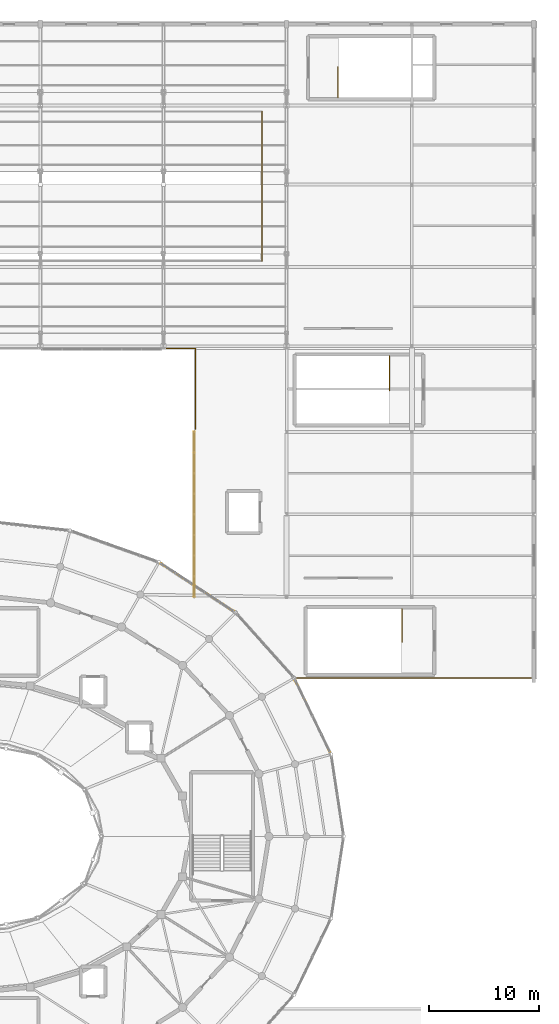
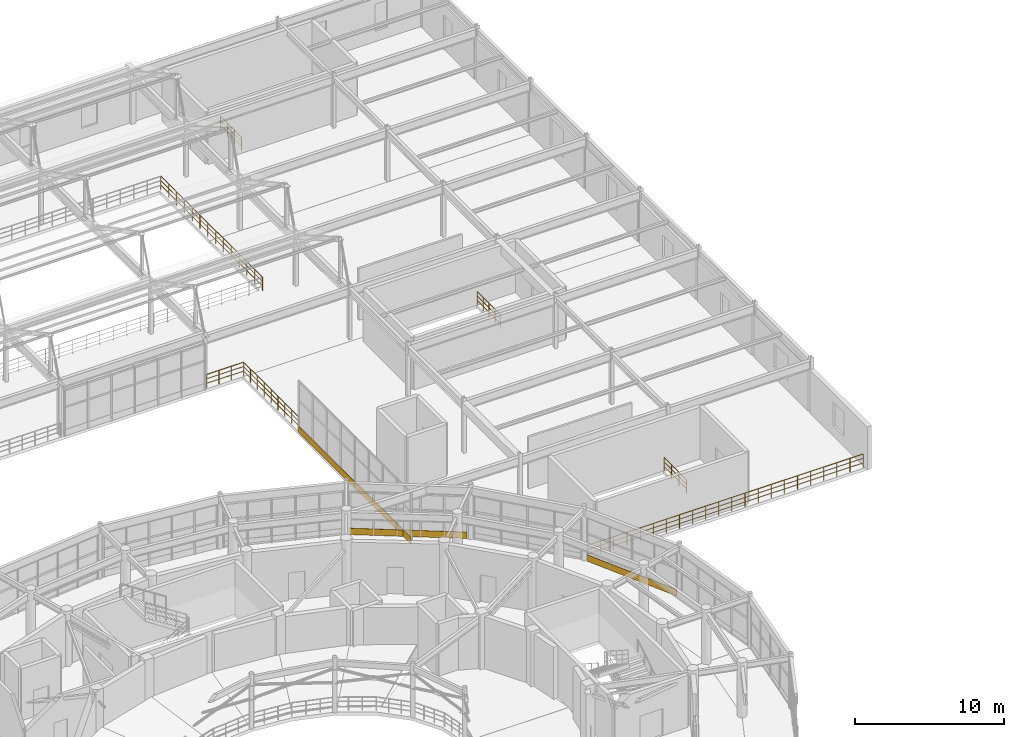
# One storey, part 112 of 112: 7 railings, 4 coverings.
"""IFC4 building model written with IfcOpenShell, lengths in metres."""

from ifc_helpers import new_model, si_unit, direction, frame, origin, origin_2d, place, context, subcontext, project, spatial, rectangle, circle, extrude, material, layer, layer_set, type_object, element, save


model = new_model("IFC4")

# Units and contexts
model_context = context("Model", 3, precision=1e-05, world=origin(), true_north=direction((0.0, 1.0)))
body_context = subcontext(model_context, "Body", "Model", "MODEL_VIEW")
ifc_project = project(units=[si_unit("LENGTHUNIT", "METRE"), si_unit("AREAUNIT", "SQUARE_METRE"), si_unit("VOLUMEUNIT", "CUBIC_METRE"), si_unit("PLANEANGLEUNIT", "RADIAN"), si_unit("MASSUNIT", "GRAM", prefix="KILO")], contexts=[model_context])

# Site, building, storey
site_placement = place(None, origin())
site = spatial("IfcSite", under=ifc_project, at=site_placement, CompositionType="ELEMENT")
building_placement = place(site_placement, origin())
building = spatial("IfcBuilding", under=site, at=building_placement, Name="Cinderbank Siding Concert Hall", CompositionType="ELEMENT")
storey_placement = place(building_placement, frame((0.0, 0.0, 10.199951171875)))
storey = spatial("IfcBuildingStorey", under=building, at=storey_placement, Name="L03", CompositionType="ELEMENT", Elevation=10.199951171875)

# Railing
ifc_material_1 = material(Name="Spotted gum glulam timber GL18 (42 MPa)", Category="wood")
railing_type_1 = type_object("IfcRailingType", Name="BAL-01 Auditorium Tier Balustrade 1120mm", PredefinedType="BALUSTRADE", material=ifc_material_1)
railing_1_placement = place(storey_placement, frame((148.14990234375, 96.35009765625, 0.0)))
element("IfcRailing", 1, at=railing_1_placement, inside=storey, type_object=railing_type_1, Name="L03 OR Gallery Balustrade 1", PredefinedType="BALUSTRADE", context=body_context, shape_type="SweptSolid", body=[
    extrude(circle(Radius=0.02392578125, at=origin_2d()), frame((0.0, 0.0, 1.09619140625), z_axis=(0.0, 1.0, 0.0), x_axis=(-1.0, 0.0, 0.0)), (0.0, 0.0, 1.0), 13.599853515625),
    extrude(circle(Radius=0.01611328125, at=origin_2d()), frame((0.0, 0.0, 0.36962890625), z_axis=(0.0, 1.0, 0.0), x_axis=(-1.0, 0.0, 0.0)), (0.0, 0.0, 1.0), 13.599853515625),
    extrude(circle(Radius=0.01611328125, at=origin_2d()), frame((0.0, 0.0, 0.7392578125), z_axis=(0.0, 1.0, 0.0), x_axis=(-1.0, 0.0, 0.0)), (0.0, 0.0, 1.0), 13.599853515625),
    extrude(circle(Radius=0.02099609375, at=origin_2d()), origin(), (0.0, 0.0, 1.0), 1.072021484375),
    extrude(circle(Radius=0.02099609375, at=origin_2d()), frame((0.0, 1.046142578125, 0.0)), (0.0, 0.0, 1.0), 1.072021484375),
    extrude(circle(Radius=0.02099609375, at=origin_2d()), frame((0.0, 2.09228515625, 0.0)), (0.0, 0.0, 1.0), 1.072021484375),
    extrude(circle(Radius=0.02099609375, at=origin_2d()), frame((0.0, 3.138427734375, 0.0)), (0.0, 0.0, 1.0), 1.072021484375),
    extrude(circle(Radius=0.02099609375, at=origin_2d()), frame((0.0, 4.1845703125, 0.0)), (0.0, 0.0, 1.0), 1.072021484375),
    extrude(circle(Radius=0.02099609375, at=origin_2d()), frame((0.0, 5.230712890625, 0.0)), (0.0, 0.0, 1.0), 1.072021484375),
    extrude(circle(Radius=0.02099609375, at=origin_2d()), frame((0.0, 6.27685546875, 0.0)), (0.0, 0.0, 1.0), 1.072021484375),
    extrude(circle(Radius=0.02099609375, at=origin_2d()), frame((0.0, 7.322998046875, 0.0)), (0.0, 0.0, 1.0), 1.072021484375),
    extrude(circle(Radius=0.02099609375, at=origin_2d()), frame((0.0, 8.369140625, 0.0)), (0.0, 0.0, 1.0), 1.072021484375),
    extrude(circle(Radius=0.02099609375, at=origin_2d()), frame((0.0, 9.415283203125, 0.0)), (0.0, 0.0, 1.0), 1.072021484375),
    extrude(circle(Radius=0.02099609375, at=origin_2d()), frame((0.0, 10.46142578125, 0.0)), (0.0, 0.0, 1.0), 1.072021484375),
    extrude(circle(Radius=0.02099609375, at=origin_2d()), frame((0.0, 11.507568359375, 0.0)), (0.0, 0.0, 1.0), 1.072021484375),
    extrude(circle(Radius=0.02099609375, at=origin_2d()), frame((0.0, 12.5537109375, 0.0)), (0.0, 0.0, 1.0), 1.072021484375),
    extrude(circle(Radius=0.02099609375, at=origin_2d()), frame((0.0, 13.599853515625, 0.0)), (0.0, 0.0, 1.0), 1.072021484375),
])

# Coverings
ifc_layer = layer(ifc_material_1, 0.06494140625)
ifc_layer_set = layer_set([ifc_layer], Name="Spotted gum glulam timber GL18 (42 MPa)")
covering_type = type_object("IfcCoveringType", Name="CL-01 Spotted Gum Spandrel Band 520mm", PredefinedType="CLADDING", material=ifc_layer_set)
covering_1_placement = place(storey_placement, frame((152.77685546875, 54.927001953125, 0.0), z_axis=(0.0, 0.0, 1.0), x_axis=(-0.435102109714, 0.900381116041, 0.0)))
element("IfcCovering", 2, at=covering_1_placement, inside=storey, type_object=covering_type, Name="CW-L03-026 Spotted Gum Spandrel Band", PredefinedType="CLADDING", context=body_context, shape_type="SweptSolid", body=[
    extrude(rectangle(XDim=7.260498046875, YDim=0.06494140625, at=origin_2d()), origin(), (0.0, 0.0, 1.0), 0.52001953125),
])
covering_2_placement = place(storey_placement, frame((142.279296875, 66.653076171875, 0.0), z_axis=(0.0, 0.0, 1.0), x_axis=(-0.835491932304, 0.549502712509, 0.0)))
element("IfcCovering", 3, at=covering_2_placement, inside=storey, type_object=covering_type, Name="CW-L03-028 Spotted Gum Spandrel Band", PredefinedType="CLADDING", context=body_context, shape_type="SweptSolid", body=[
    extrude(rectangle(XDim=7.875, YDim=0.06494140625, at=origin_2d()), origin(), (0.0, 0.0, 1.0), 0.52001953125),
])
for number, where, z_axis, x_axis, name in (
    (4, (142.0, 69.550048828125, 0.0), (0.0, 0.0, 1.0), (0.0, 1.0, 0.0), "CW-L03-148 Spotted Gum Spandrel Band"),
    (5, (142.0, 77.050048828125, 0.0), (0.0, 0.0, 1.0), (0.0, 1.0, 0.0), "CW-L03-149 Spotted Gum Spandrel Band"),
):
    element("IfcCovering", number, at=place(storey_placement, frame(where, z_axis=z_axis, x_axis=x_axis)), inside=storey, type_object=covering_type, Name=name, PredefinedType="CLADDING", context=body_context, shape_type="SweptSolid", body=[
        extrude(rectangle(XDim=7.5, YDim=0.06494140625, at=origin_2d()), origin(), (0.0, 0.0, 1.0), 0.52001953125),
    ])

# Railings
ifc_material_2 = material(Name="Structural steel AS/NZS 3679.1 Grade 350 (340 MPa)", Category="steel")
railing_type_2 = type_object("IfcRailingType", Name="GD-01 Terrace & Perimeter Guardrail 1120mm", PredefinedType="GUARDRAIL", material=ifc_material_2)
railing_2_placement = place(storey_placement, frame((142.10009765625, 81.0400390625, 0.0)))
element("IfcRailing", 6, at=railing_2_placement, inside=storey, type_object=railing_type_2, Name="L03 Perimeter Guardrail #62", PredefinedType="GUARDRAIL", context=body_context, shape_type="SweptSolid", body=[
    extrude(circle(Radius=0.02392578125, at=origin_2d()), frame((0.0, 0.0, 1.09619140625), z_axis=(0.0, 1.0, 0.0), x_axis=(-1.0, 0.0, 0.0)), (0.0, 0.0, 1.0), 7.35986328125),
    extrude(circle(Radius=0.01611328125, at=origin_2d()), frame((0.0, 0.0, 0.36962890625), z_axis=(0.0, 1.0, 0.0), x_axis=(-1.0, 0.0, 0.0)), (0.0, 0.0, 1.0), 7.35986328125),
    extrude(circle(Radius=0.01611328125, at=origin_2d()), frame((0.0, 0.0, 0.7392578125), z_axis=(0.0, 1.0, 0.0), x_axis=(-1.0, 0.0, 0.0)), (0.0, 0.0, 1.0), 7.35986328125),
    extrude(circle(Radius=0.02099609375, at=origin_2d()), origin(), (0.0, 0.0, 1.0), 1.072021484375),
    extrude(circle(Radius=0.02099609375, at=origin_2d()), frame((0.0, 0.919921875, 0.0)), (0.0, 0.0, 1.0), 1.072021484375),
    extrude(circle(Radius=0.02099609375, at=origin_2d()), frame((0.0, 1.83984375, 0.0)), (0.0, 0.0, 1.0), 1.072021484375),
    extrude(circle(Radius=0.02099609375, at=origin_2d()), frame((0.0, 2.760009765625, 0.0)), (0.0, 0.0, 1.0), 1.072021484375),
    extrude(circle(Radius=0.02099609375, at=origin_2d()), frame((0.0, 3.679931640625, 0.0)), (0.0, 0.0, 1.0), 1.072021484375),
    extrude(circle(Radius=0.02099609375, at=origin_2d()), frame((0.0, 4.599853515625, 0.0)), (0.0, 0.0, 1.0), 1.072021484375),
    extrude(circle(Radius=0.02099609375, at=origin_2d()), frame((0.0, 5.52001953125, 0.0)), (0.0, 0.0, 1.0), 1.072021484375),
    extrude(circle(Radius=0.02099609375, at=origin_2d()), frame((0.0, 6.43994140625, 0.0)), (0.0, 0.0, 1.0), 1.072021484375),
    extrude(circle(Radius=0.02099609375, at=origin_2d()), frame((0.0, 7.35986328125, 0.0)), (0.0, 0.0, 1.0), 1.072021484375),
])
railing_3_placement = place(storey_placement, frame((142.10009765625, 88.39990234375, 0.0)))
element("IfcRailing", 7, at=railing_3_placement, inside=storey, type_object=railing_type_2, Name="L03 Perimeter Guardrail #63", PredefinedType="GUARDRAIL", context=body_context, shape_type="SweptSolid", body=[
    extrude(circle(Radius=0.02392578125, at=origin_2d()), frame((0.0, 0.0, 1.09619140625), z_axis=(-1.0, 0.0, 0.0), x_axis=(0.0, -1.0, 0.0)), (0.0, 0.0, 1.0), 2.85302734375),
    extrude(circle(Radius=0.01611328125, at=origin_2d()), frame((0.0, 0.0, 0.36962890625), z_axis=(-1.0, 0.0, 0.0), x_axis=(0.0, -1.0, 0.0)), (0.0, 0.0, 1.0), 2.85302734375),
    extrude(circle(Radius=0.01611328125, at=origin_2d()), frame((0.0, 0.0, 0.7392578125), z_axis=(-1.0, 0.0, 0.0), x_axis=(0.0, -1.0, 0.0)), (0.0, 0.0, 1.0), 2.85302734375),
    extrude(circle(Radius=0.02099609375, at=origin_2d()), origin(), (0.0, 0.0, 1.0), 1.072021484375),
    extrude(circle(Radius=0.02099609375, at=origin_2d()), frame((-0.950927734375, 0.0, 0.0)), (0.0, 0.0, 1.0), 1.072021484375),
    extrude(circle(Radius=0.02099609375, at=origin_2d()), frame((-1.902099609375, 0.0, 0.0)), (0.0, 0.0, 1.0), 1.072021484375),
    extrude(circle(Radius=0.02099609375, at=origin_2d()), frame((-2.85302734375, 0.0, 0.0)), (0.0, 0.0, 1.0), 1.072021484375),
])
railing_4_placement = place(storey_placement, frame((172.639892578125, 58.39990234375, 0.0)))
element("IfcRailing", 8, at=railing_4_placement, inside=storey, type_object=railing_type_2, Name="L03 Perimeter Guardrail #68", PredefinedType="GUARDRAIL", context=body_context, shape_type="SweptSolid", body=[
    extrude(circle(Radius=0.02392578125, at=origin_2d()), frame((0.0, 0.0, 1.09619140625), z_axis=(-1.0, 0.0, 0.0), x_axis=(0.0, -1.0, 0.0)), (0.0, 0.0, 1.0), 21.282470703125),
    extrude(circle(Radius=0.01611328125, at=origin_2d()), frame((0.0, 0.0, 0.36962890625), z_axis=(-1.0, 0.0, 0.0), x_axis=(0.0, -1.0, 0.0)), (0.0, 0.0, 1.0), 21.282470703125),
    extrude(circle(Radius=0.01611328125, at=origin_2d()), frame((0.0, 0.0, 0.7392578125), z_axis=(-1.0, 0.0, 0.0), x_axis=(0.0, -1.0, 0.0)), (0.0, 0.0, 1.0), 21.282470703125),
    extrude(circle(Radius=0.02099609375, at=origin_2d()), origin(), (0.0, 0.0, 1.0), 1.072021484375),
    extrude(circle(Radius=0.02099609375, at=origin_2d()), frame((-1.013427734375, 0.0, 0.0)), (0.0, 0.0, 1.0), 1.072021484375),
    extrude(circle(Radius=0.02099609375, at=origin_2d()), frame((-2.02685546875, 0.0, 0.0)), (0.0, 0.0, 1.0), 1.072021484375),
    extrude(circle(Radius=0.02099609375, at=origin_2d()), frame((-3.040283203125, 0.0, 0.0)), (0.0, 0.0, 1.0), 1.072021484375),
    extrude(circle(Radius=0.02099609375, at=origin_2d()), frame((-4.0537109375, 0.0, 0.0)), (0.0, 0.0, 1.0), 1.072021484375),
    extrude(circle(Radius=0.02099609375, at=origin_2d()), frame((-5.067138671875, 0.0, 0.0)), (0.0, 0.0, 1.0), 1.072021484375),
    extrude(circle(Radius=0.02099609375, at=origin_2d()), frame((-6.080810546875, 0.0, 0.0)), (0.0, 0.0, 1.0), 1.072021484375),
    extrude(circle(Radius=0.02099609375, at=origin_2d()), frame((-7.09423828125, 0.0, 0.0)), (0.0, 0.0, 1.0), 1.072021484375),
    extrude(circle(Radius=0.02099609375, at=origin_2d()), frame((-8.107666015625, 0.0, 0.0)), (0.0, 0.0, 1.0), 1.072021484375),
    extrude(circle(Radius=0.02099609375, at=origin_2d()), frame((-9.12109375, 0.0, 0.0)), (0.0, 0.0, 1.0), 1.072021484375),
    extrude(circle(Radius=0.02099609375, at=origin_2d()), frame((-10.134521484375, 0.0, 0.0)), (0.0, 0.0, 1.0), 1.072021484375),
    extrude(circle(Radius=0.02099609375, at=origin_2d()), frame((-11.14794921875, 0.0, 0.0)), (0.0, 0.0, 1.0), 1.072021484375),
    extrude(circle(Radius=0.02099609375, at=origin_2d()), frame((-12.161376953125, 0.0, 0.0)), (0.0, 0.0, 1.0), 1.072021484375),
    extrude(circle(Radius=0.02099609375, at=origin_2d()), frame((-13.1748046875, 0.0, 0.0)), (0.0, 0.0, 1.0), 1.072021484375),
    extrude(circle(Radius=0.02099609375, at=origin_2d()), frame((-14.188232421875, 0.0, 0.0)), (0.0, 0.0, 1.0), 1.072021484375),
    extrude(circle(Radius=0.02099609375, at=origin_2d()), frame((-15.20166015625, 0.0, 0.0)), (0.0, 0.0, 1.0), 1.072021484375),
    extrude(circle(Radius=0.02099609375, at=origin_2d()), frame((-16.21533203125, 0.0, 0.0)), (0.0, 0.0, 1.0), 1.072021484375),
    extrude(circle(Radius=0.02099609375, at=origin_2d()), frame((-17.228759765625, 0.0, 0.0)), (0.0, 0.0, 1.0), 1.072021484375),
    extrude(circle(Radius=0.02099609375, at=origin_2d()), frame((-18.2421875, 0.0, 0.0)), (0.0, 0.0, 1.0), 1.072021484375),
    extrude(circle(Radius=0.02099609375, at=origin_2d()), frame((-19.255615234375, 0.0, 0.0)), (0.0, 0.0, 1.0), 1.072021484375),
    extrude(circle(Radius=0.02099609375, at=origin_2d()), frame((-20.26904296875, 0.0, 0.0)), (0.0, 0.0, 1.0), 1.072021484375),
    extrude(circle(Radius=0.02099609375, at=origin_2d()), frame((-21.282470703125, 0.0, 0.0)), (0.0, 0.0, 1.0), 1.072021484375),
])
railing_type_3 = type_object("IfcRailingType", Name="STG-01 Stair Well Guardrail 1120mm", PredefinedType="GUARDRAIL", material=ifc_material_2)
railing_5_placement = place(storey_placement, frame((155.10009765625, 111.199951171875, 0.0)))
element("IfcRailing", 9, at=railing_5_placement, inside=storey, type_object=railing_type_3, Name="L03 ST-07 top well guard 1", PredefinedType="GUARDRAIL", context=body_context, shape_type="SweptSolid", body=[
    extrude(circle(Radius=0.02392578125, at=origin_2d()), frame((0.0, 0.0, 1.09619140625), z_axis=(0.0, 1.0, 0.0), x_axis=(-1.0, 0.0, 0.0)), (0.0, 0.0, 1.0), 2.81005859375),
    extrude(circle(Radius=0.01611328125, at=origin_2d()), frame((0.0, 0.0, 0.36962890625), z_axis=(0.0, 1.0, 0.0), x_axis=(-1.0, 0.0, 0.0)), (0.0, 0.0, 1.0), 2.81005859375),
    extrude(circle(Radius=0.01611328125, at=origin_2d()), frame((0.0, 0.0, 0.7392578125), z_axis=(0.0, 1.0, 0.0), x_axis=(-1.0, 0.0, 0.0)), (0.0, 0.0, 1.0), 2.81005859375),
    extrude(circle(Radius=0.02099609375, at=origin_2d()), origin(), (0.0, 0.0, 1.0), 1.072021484375),
    extrude(circle(Radius=0.02099609375, at=origin_2d()), frame((0.0, 0.936767578125, 0.0)), (0.0, 0.0, 1.0), 1.072021484375),
    extrude(circle(Radius=0.02099609375, at=origin_2d()), frame((0.0, 1.873291015625, 0.0)), (0.0, 0.0, 1.0), 1.072021484375),
    extrude(circle(Radius=0.02099609375, at=origin_2d()), frame((0.0, 2.81005859375, 0.0)), (0.0, 0.0, 1.0), 1.072021484375),
])
railing_6_placement = place(storey_placement, frame((159.75, 87.7099609375, 0.0)))
element("IfcRailing", 10, at=railing_6_placement, inside=storey, type_object=railing_type_3, Name="L03 ST-11 top well guard 1", PredefinedType="GUARDRAIL", context=body_context, shape_type="SweptSolid", body=[
    extrude(circle(Radius=0.02392578125, at=origin_2d()), frame((0.0, 0.0, 1.09619140625), z_axis=(0.0, -1.0, 0.0), x_axis=(1.0, 0.0, 0.0)), (0.0, 0.0, 1.0), 3.159912109375),
    extrude(circle(Radius=0.01611328125, at=origin_2d()), frame((0.0, 0.0, 0.36962890625), z_axis=(0.0, -1.0, 0.0), x_axis=(1.0, 0.0, 0.0)), (0.0, 0.0, 1.0), 3.159912109375),
    extrude(circle(Radius=0.01611328125, at=origin_2d()), frame((0.0, 0.0, 0.7392578125), z_axis=(0.0, -1.0, 0.0), x_axis=(1.0, 0.0, 0.0)), (0.0, 0.0, 1.0), 3.159912109375),
    extrude(circle(Radius=0.02099609375, at=origin_2d()), origin(), (0.0, 0.0, 1.0), 1.072021484375),
    extrude(circle(Radius=0.02099609375, at=origin_2d()), frame((0.0, -0.7900390625, 0.0)), (0.0, 0.0, 1.0), 1.072021484375),
    extrude(circle(Radius=0.02099609375, at=origin_2d()), frame((0.0, -1.580078125, 0.0)), (0.0, 0.0, 1.0), 1.072021484375),
    extrude(circle(Radius=0.02099609375, at=origin_2d()), frame((0.0, -2.369873046875, 0.0)), (0.0, 0.0, 1.0), 1.072021484375),
    extrude(circle(Radius=0.02099609375, at=origin_2d()), frame((0.0, -3.159912109375, 0.0)), (0.0, 0.0, 1.0), 1.072021484375),
])
railing_7_placement = place(storey_placement, frame((160.89990234375, 64.7099609375, 0.0)))
element("IfcRailing", 11, at=railing_7_placement, inside=storey, type_object=railing_type_3, Name="L03 ST-12 top well guard 1", PredefinedType="GUARDRAIL", context=body_context, shape_type="SweptSolid", body=[
    extrude(circle(Radius=0.02392578125, at=origin_2d()), frame((0.0, 0.0, 1.09619140625), z_axis=(0.0, -1.0, 0.0), x_axis=(1.0, 0.0, 0.0)), (0.0, 0.0, 1.0), 3.010009765625),
    extrude(circle(Radius=0.01611328125, at=origin_2d()), frame((0.0, 0.0, 0.36962890625), z_axis=(0.0, -1.0, 0.0), x_axis=(1.0, 0.0, 0.0)), (0.0, 0.0, 1.0), 3.010009765625),
    extrude(circle(Radius=0.01611328125, at=origin_2d()), frame((0.0, 0.0, 0.7392578125), z_axis=(0.0, -1.0, 0.0), x_axis=(1.0, 0.0, 0.0)), (0.0, 0.0, 1.0), 3.010009765625),
    extrude(circle(Radius=0.02099609375, at=origin_2d()), origin(), (0.0, 0.0, 1.0), 1.072021484375),
    extrude(circle(Radius=0.02099609375, at=origin_2d()), frame((0.0, -1.00341796875, 0.0)), (0.0, 0.0, 1.0), 1.072021484375),
    extrude(circle(Radius=0.02099609375, at=origin_2d()), frame((0.0, -2.006591796875, 0.0)), (0.0, 0.0, 1.0), 1.072021484375),
    extrude(circle(Radius=0.02099609375, at=origin_2d()), frame((0.0, -3.010009765625, 0.0)), (0.0, 0.0, 1.0), 1.072021484375),
])

save(model, "model.ifc")
